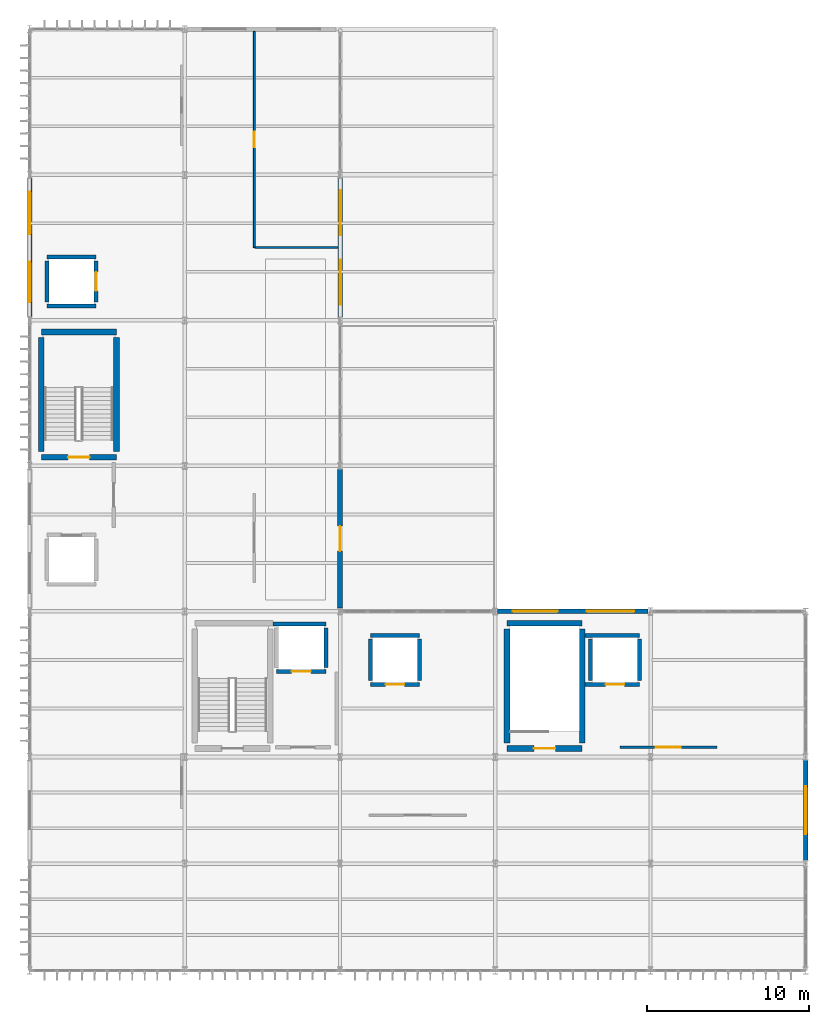
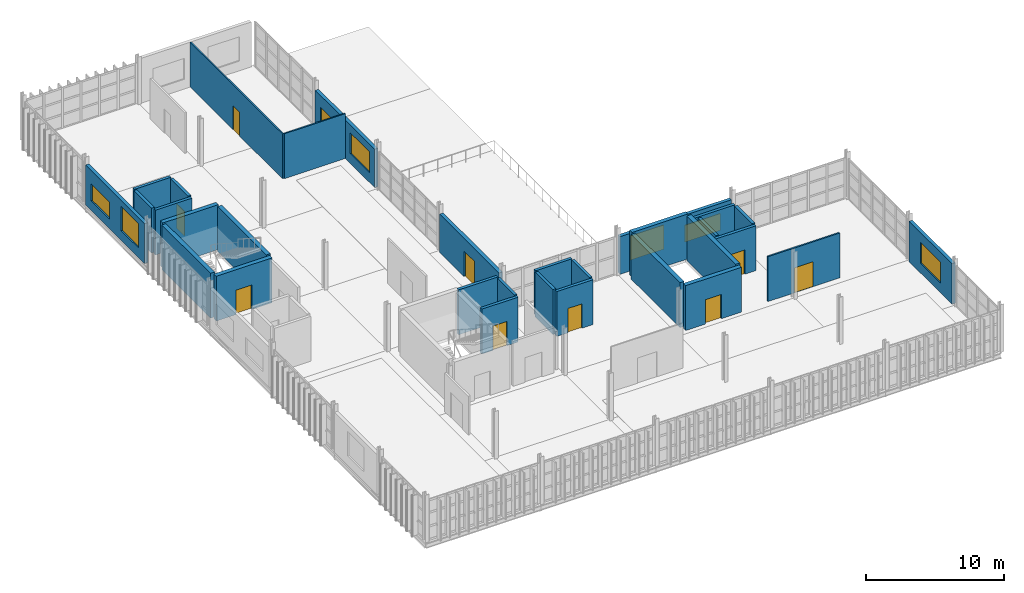
# One storey, part 19 of 38: 31 walls, 9 doors, 7 windows, 16 openings.
"""IFC4 building model written with IfcOpenShell, lengths in metres."""

from ifc_helpers import new_model, si_unit, direction, frame, frame_2d, origin, place, context, subcontext, project, spatial, rectangle, extrude, material, layer, layer_set, type_object, element, fill, save


model = new_model("IFC4")

# Units and contexts
model_context = context("Model", 3, precision=1e-05, world=origin(), true_north=direction((0.0, 1.0)))
body_context = subcontext(model_context, "Body", "Model", "MODEL_VIEW")
ifc_project = project(units=[si_unit("LENGTHUNIT", "METRE"), si_unit("AREAUNIT", "SQUARE_METRE"), si_unit("VOLUMEUNIT", "CUBIC_METRE"), si_unit("PLANEANGLEUNIT", "RADIAN"), si_unit("MASSUNIT", "GRAM", prefix="KILO")], contexts=[model_context])

# Site, building, storey
site_placement = place(None, origin())
site = spatial("IfcSite", under=ifc_project, at=site_placement, CompositionType="ELEMENT")
building_placement = place(site_placement, origin())
building = spatial("IfcBuilding", under=site, at=building_placement, Name="Zarnetskaya Central Station", CompositionType="ELEMENT")
storey_placement = place(building_placement, frame((0.0, 0.0, 18.60009765625)))
storey = spatial("IfcBuildingStorey", under=building, at=storey_placement, Name="L04", CompositionType="ELEMENT", Elevation=18.60009765625)

# Wall, opening, door
ifc_material_1 = material(Name="Gypsum acoustic partition")
ifc_layer_1 = layer(ifc_material_1, 0.1298828125, Name="Gypsum acoustic partition")
ifc_layer_set_1 = layer_set([ifc_layer_1], Name="Gypsum acoustic partition")
wall_type_1 = type_object("IfcWallType", Name="PART-OFF-130", PredefinedType="PARTITIONING", material=ifc_layer_set_1)
wall_1_placement = place(storey_placement, frame((42.5, 13.800048828125, 0.0), z_axis=(0.0, 0.0, 1.0), x_axis=(-1.0, 0.0, 0.0)))
wall_1 = element("IfcWall", 1, at=wall_1_placement, inside=storey, type_object=wall_type_1, Name="Interior partition IPRT-L04-0434", PredefinedType="PARTITIONING", context=body_context, shape_type="SweptSolid", body=[
    extrude(rectangle(XDim=6.0, YDim=0.1298828125, at=frame_2d((3.0, 0.0))), origin(), (0.0, 0.0, 1.0), 3.9599609375),
])
opening_1_placement = place(wall_1_placement, frame((2.219970703125, 0.0, 0.0)))
opening_1 = element("IfcOpeningElement", 2, at=opening_1_placement, cuts=wall_1, Name="Opening DR-10", PredefinedType="OPENING", context=body_context, shape_type="SweptSolid", body=[
    extrude(rectangle(XDim=1.56005859375, YDim=2.199951171875, at=frame_2d((0.780029296875, 1.10009765625))), frame((0.0, 0.074951171875, 0.0), z_axis=(0.0, -1.0, 0.0), x_axis=(1.0, 0.0, 0.0)), (0.0, 0.0, 1.0), 0.14990234375),
])
ifc_material_2 = material(Name="Anodised aluminium", Category="aluminium")
door_type_1 = type_object("IfcDoorType", Name="DR-INT-15", OperationType="NOTDEFINED", PredefinedType="DOOR", material=ifc_material_2)
door_1_placement = place(opening_1_placement, origin())
door_1 = element("IfcDoor", 3, at=door_1_placement, inside=storey, type_object=door_type_1, Name="Railway Operations Administration Office door", OperationType="SINGLE_SWING_LEFT", OverallHeight=2.199951171875, OverallWidth=1.56005859375, PredefinedType="DOOR", context=body_context, shape_type="SweptSolid", body=[
    extrude(rectangle(XDim=1.56005859375, YDim=2.199951171875, at=frame_2d((0.780029296875, 1.10009765625))), frame((0.0, 0.02490234375, 0.0), z_axis=(0.0, -1.0, 0.0), x_axis=(1.0, 0.0, 0.0)), (0.0, 0.0, 1.0), 0.050048828125),
])
fill(opening_1, door_1)

ifc_material_3 = material(Name="Gypsum moisture partition")
ifc_layer_2 = layer(ifc_material_3, 0.114990234375, Name="Gypsum moisture partition")
ifc_layer_set_2 = layer_set([ifc_layer_2], Name="Gypsum moisture partition")
wall_type_2 = type_object("IfcWallType", Name="PART-WC-115", PredefinedType="PARTITIONING", material=ifc_layer_set_2)
wall_2_placement = place(storey_placement, frame((13.89990234375, 44.699951171875, 0.0), z_axis=(0.0, 0.0, 1.0), x_axis=(0.0, 1.0, 0.0)))
wall_2 = element("IfcWall", 4, at=wall_2_placement, inside=storey, type_object=wall_type_2, Name="Interior partition IPRT-L04-0439", PredefinedType="PARTITIONING", context=body_context, shape_type="SweptSolid", body=[
    extrude(rectangle(XDim=13.360107421875, YDim=0.114990234375, at=frame_2d((6.68017578125, 0.0))), origin(), (0.0, 0.0, 1.0), 3.9599609375),
])
opening_2_placement = place(wall_2_placement, frame((6.195068359375, 0.0, 0.0)))
opening_2 = element("IfcOpeningElement", 5, at=opening_2_placement, cuts=wall_2, Name="Opening DR-01", PredefinedType="OPENING", context=body_context, shape_type="SweptSolid", body=[
    extrude(rectangle(XDim=0.969970703125, YDim=2.1201171875, at=frame_2d((0.48486328125, 1.06005859375))), frame((0.0, 0.0673828125, 0.0), z_axis=(0.0, -1.0, 0.0), x_axis=(1.0, 0.0, 0.0)), (0.0, 0.0, 1.0), 0.135009765625),
])
door_type_2 = type_object("IfcDoorType", Name="DR-INT-20", OperationType="NOTDEFINED", PredefinedType="DOOR", material=ifc_material_2)
door_2_placement = place(opening_2_placement, origin())
door_2 = element("IfcDoor", 6, at=door_2_placement, inside=storey, type_object=door_type_2, Name="Staff and Accessible WC Suite L04 door", OperationType="SINGLE_SWING_RIGHT", OverallHeight=2.1201171875, OverallWidth=0.969970703125, PredefinedType="DOOR", context=body_context, shape_type="SweptSolid", body=[
    extrude(rectangle(XDim=0.969970703125, YDim=2.1201171875, at=frame_2d((0.48486328125, 1.06005859375))), frame((0.0, 0.02490234375, 0.0), z_axis=(0.0, -1.0, 0.0), x_axis=(1.0, 0.0, 0.0)), (0.0, 0.0, 1.0), 0.050048828125),
])
fill(opening_2, door_2)

# Wall
wall_3_placement = place(storey_placement, frame((19.06005859375, 44.699951171875, 0.0), z_axis=(0.0, 0.0, 1.0), x_axis=(-1.0, 0.0, 0.0)))
element("IfcWall", 7, at=wall_3_placement, inside=storey, type_object=wall_type_2, Name="Interior partition IPRT-L04-0440", PredefinedType="PARTITIONING", context=body_context, shape_type="SweptSolid", body=[
    extrude(rectangle(XDim=5.1025390625, YDim=0.114990234375, at=frame_2d((2.55126953125, 0.0))), origin(), (0.0, 0.0, 1.0), 3.9599609375),
])

# Wall, opening, door
ifc_material_4 = material(Name="Concrete C35/45", Category="concrete")
ifc_layer_3 = layer(ifc_material_4, 0.35009765625, Name="Concrete C35/45", Category="concrete")
ifc_layer_set_3 = layer_set([ifc_layer_3], Name="Concrete C35/45")
wall_type_3 = type_object("IfcWallType", Name="WALL-CORE-350", PredefinedType="SHEAR", material=ifc_layer_set_3)
wall_4_placement = place(storey_placement, frame((5.375, 31.72509765625, 0.0), z_axis=(0.0, 0.0, 1.0), x_axis=(-1.0, 0.0, 0.0)))
wall_4 = element("IfcWall", 8, at=wall_4_placement, inside=storey, type_object=wall_type_3, Name="Core shear wall WSTR-L04-0237", PredefinedType="SHEAR", context=body_context, shape_type="SweptSolid", body=[
    extrude(rectangle(XDim=4.64990234375, YDim=0.35009765625, at=frame_2d((2.324951171875, 0.0))), origin(), (0.0, 0.0, 1.0), 3.9599609375),
])
opening_3_placement = place(wall_4_placement, frame((1.6650390625, 0.0, 0.0)))
opening_3 = element("IfcOpeningElement", 9, at=opening_3_placement, cuts=wall_4, Name="Opening DR-FD60", PredefinedType="OPENING", context=body_context, shape_type="SweptSolid", body=[
    extrude(rectangle(XDim=1.320068359375, YDim=2.14990234375, at=frame_2d((0.66015625, 1.074951171875))), frame((0.0, 0.18505859375, 0.0), z_axis=(0.0, -1.0, 0.0), x_axis=(1.0, 0.0, 0.0)), (0.0, 0.0, 1.0), 0.3701171875),
])
door_type_3 = type_object("IfcDoorType", Name="DR-FIRE-STAIR", OperationType="NOTDEFINED", PredefinedType="DOOR", material=ifc_material_2)
door_3_placement = place(opening_3_placement, origin())
door_3 = element("IfcDoor", 10, at=door_3_placement, inside=storey, type_object=door_type_3, Name="Protected exit stair door ST-C2 L04", OperationType="SINGLE_SWING_LEFT", OverallHeight=2.14990234375, OverallWidth=1.320068359375, PredefinedType="DOOR", context=body_context, shape_type="SweptSolid", body=[
    extrude(rectangle(XDim=1.320068359375, YDim=2.14990234375, at=frame_2d((0.66015625, 1.074951171875))), frame((0.0, 0.02490234375, 0.0), z_axis=(0.0, -1.0, 0.0), x_axis=(1.0, 0.0, 0.0)), (0.0, 0.0, 1.0), 0.050048828125),
])
fill(opening_3, door_3)

# Walls
wall_5_placement = place(storey_placement, frame((0.72509765625, 39.47509765625, 0.0), z_axis=(0.0, 0.0, 1.0), x_axis=(1.0, 0.0, 0.0)))
element("IfcWall", 11, at=wall_5_placement, inside=storey, type_object=wall_type_3, Name="Core shear wall WSTR-L04-0238", PredefinedType="SHEAR", context=body_context, shape_type="SweptSolid", body=[
    extrude(rectangle(XDim=4.64990234375, YDim=0.35009765625, at=frame_2d((2.324951171875, 0.0))), origin(), (0.0, 0.0, 1.0), 3.9599609375),
])
for number, where, z_axis, x_axis, name in (
    (12, (0.72509765625, 32.074951171875, 0.0), (0.0, 0.0, 1.0), (0.0, 1.0, 0.0), "Core shear wall WSTR-L04-0239"),
    (13, (5.375, 39.125, 0.0), (0.0, 0.0, 1.0), (0.0, -1.0, 0.0), "Core shear wall WSTR-L04-0240"),
):
    element("IfcWall", number, at=place(storey_placement, frame(where, z_axis=z_axis, x_axis=x_axis)), inside=storey, type_object=wall_type_3, Name=name, PredefinedType="SHEAR", context=body_context, shape_type="SweptSolid", body=[
        extrude(rectangle(XDim=7.050048828125, YDim=0.35009765625, at=frame_2d((3.52490234375, 0.0))), origin(), (0.0, 0.0, 1.0), 3.9599609375),
    ])

# Wall, opening, door
wall_6_placement = place(storey_placement, frame((34.175048828125, 13.72509765625, 0.0), z_axis=(0.0, 0.0, 1.0), x_axis=(-1.0, 0.0, 0.0)))
wall_6 = element("IfcWall", 14, at=wall_6_placement, inside=storey, type_object=wall_type_3, Name="Core shear wall WSTR-L04-0265", PredefinedType="SHEAR", context=body_context, shape_type="SweptSolid", body=[
    extrude(rectangle(XDim=4.650146484375, YDim=0.35009765625, at=frame_2d((2.3251953125, 0.0))), origin(), (0.0, 0.0, 1.0), 3.9599609375),
])
opening_4_placement = place(wall_6_placement, frame((1.6650390625, 0.0, 0.0)))
opening_4 = element("IfcOpeningElement", 15, at=opening_4_placement, cuts=wall_6, Name="Opening DR-FD60", PredefinedType="OPENING", context=body_context, shape_type="SweptSolid", body=[
    extrude(rectangle(XDim=1.320068359375, YDim=2.14990234375, at=frame_2d((0.66015625, 1.074951171875))), frame((0.0, 0.18505859375, 0.0), z_axis=(0.0, -1.0, 0.0), x_axis=(1.0, 0.0, 0.0)), (0.0, 0.0, 1.0), 0.3701171875),
])
door_4_placement = place(opening_4_placement, origin())
door_4 = element("IfcDoor", 16, at=door_4_placement, inside=storey, type_object=door_type_3, Name="Protected exit stair door ST-C3 L04", OperationType="SINGLE_SWING_RIGHT", OverallHeight=2.14990234375, OverallWidth=1.320068359375, PredefinedType="DOOR", context=body_context, shape_type="SweptSolid", body=[
    extrude(rectangle(XDim=1.320068359375, YDim=2.14990234375, at=frame_2d((0.66015625, 1.074951171875))), frame((0.0, 0.02490234375, 0.0), z_axis=(0.0, -1.0, 0.0), x_axis=(1.0, 0.0, 0.0)), (0.0, 0.0, 1.0), 0.050048828125),
])
fill(opening_4, door_4)

# Walls
wall_7_placement = place(storey_placement, frame((29.52490234375, 21.47509765625, 0.0), z_axis=(0.0, 0.0, 1.0), x_axis=(1.0, 0.0, 0.0)))
element("IfcWall", 17, at=wall_7_placement, inside=storey, type_object=wall_type_3, Name="Core shear wall WSTR-L04-0266", PredefinedType="SHEAR", context=body_context, shape_type="SweptSolid", body=[
    extrude(rectangle(XDim=4.650146484375, YDim=0.35009765625, at=frame_2d((2.3251953125, 0.0))), origin(), (0.0, 0.0, 1.0), 3.9599609375),
])
for number, where, z_axis, x_axis, name in (
    (18, (29.52490234375, 14.074951171875, 0.0), (0.0, 0.0, 1.0), (0.0, 1.0, 0.0), "Core shear wall WSTR-L04-0267"),
    (19, (34.175048828125, 21.125, 0.0), (0.0, 0.0, 1.0), (0.0, -1.0, 0.0), "Core shear wall WSTR-L04-0268"),
):
    element("IfcWall", number, at=place(storey_placement, frame(where, z_axis=z_axis, x_axis=x_axis)), inside=storey, type_object=wall_type_3, Name=name, PredefinedType="SHEAR", context=body_context, shape_type="SweptSolid", body=[
        extrude(rectangle(XDim=7.050048828125, YDim=0.35009765625, at=frame_2d((3.52490234375, 0.0))), origin(), (0.0, 0.0, 1.0), 3.9599609375),
    ])

# Wall, openings, windows
ifc_material_5 = material(Name="Precast concrete C40/50", Category="concrete")
ifc_layer_4 = layer(ifc_material_5, 0.280029296875, Name="Precast concrete C40/50", Category="concrete")
ifc_layer_set_4 = layer_set([ifc_layer_4], Name="Precast concrete C40/50")
wall_type_4 = type_object("IfcWallType", Name="WALL-EXT-280", PredefinedType="SOLIDWALL", material=ifc_layer_set_4)
wall_8_placement = place(storey_placement, frame((0.0, 40.425048828125, 0.0), z_axis=(0.0, 0.0, 1.0), x_axis=(0.0, 1.0, 0.0)))
wall_8 = element("IfcWall", 20, at=wall_8_placement, inside=storey, type_object=wall_type_4, Name="Exterior precast wall EW-L04-0-404-0-490", PredefinedType="SOLIDWALL", context=body_context, shape_type="SweptSolid", body=[
    extrude(rectangle(XDim=8.550048828125, YDim=0.280029296875, at=frame_2d((4.27490234375, 0.0))), origin(), (0.0, 0.0, 1.0), 3.52978515625),
])
opening_5_placement = place(wall_8_placement, frame((0.887451171875, 0.0, 0.85009765625)))
opening_5 = element("IfcOpeningElement", 21, at=opening_5_placement, cuts=wall_8, Name="Opening WN-46", PredefinedType="OPENING", context=body_context, shape_type="SweptSolid", body=[
    extrude(rectangle(XDim=2.5, YDim=2.14990234375, at=frame_2d((1.25, 1.074951171875))), frame((0.0, 0.14990234375, 0.0), z_axis=(0.0, -1.0, 0.0), x_axis=(1.0, 0.0, 0.0)), (0.0, 0.0, 1.0), 0.300048828125),
])
opening_6_placement = place(wall_8_placement, frame((5.08740234375, 0.0, 0.85009765625)))
opening_6 = element("IfcOpeningElement", 22, at=opening_6_placement, cuts=wall_8, Name="Opening WN-43", PredefinedType="OPENING", context=body_context, shape_type="SweptSolid", body=[
    extrude(rectangle(XDim=2.64990234375, YDim=1.5, at=frame_2d((1.324951171875, 0.75))), frame((0.0, 0.14990234375, 0.0), z_axis=(0.0, -1.0, 0.0), x_axis=(1.0, 0.0, 0.0)), (0.0, 0.0, 1.0), 0.300048828125),
])
ifc_material_6 = material(Name="Low-E insulated glass", Category="glass")
window_type_1 = type_object("IfcWindowType", Name="WIN-39", PartitioningType="DOUBLE_PANEL_VERTICAL", PredefinedType="WINDOW", material=ifc_material_6)
window_1_placement = place(opening_5_placement, origin())
window_1 = element("IfcWindow", 23, at=window_1_placement, inside=storey, type_object=window_type_1, Name="Facade window L04-0093", OverallHeight=2.14990234375, OverallWidth=2.5, PartitioningType="SINGLE_PANEL", PredefinedType="WINDOW", context=body_context, shape_type="SweptSolid", body=[
    extrude(rectangle(XDim=2.5, YDim=2.14990234375, at=frame_2d((1.25, 1.074951171875))), frame((0.0, 0.030029296875, 0.0), z_axis=(0.0, -1.0, 0.0), x_axis=(1.0, 0.0, 0.0)), (0.0, 0.0, 1.0), 0.06005859375),
])
fill(opening_5, window_1)
window_type_2 = type_object("IfcWindowType", Name="WIN-40", PartitioningType="DOUBLE_PANEL_VERTICAL", PredefinedType="WINDOW", material=ifc_material_6)
window_2_placement = place(opening_6_placement, origin())
window_2 = element("IfcWindow", 24, at=window_2_placement, inside=storey, type_object=window_type_2, Name="Facade window L04-0094", OverallHeight=1.5, OverallWidth=2.64990234375, PartitioningType="SINGLE_PANEL", PredefinedType="WINDOW", context=body_context, shape_type="SweptSolid", body=[
    extrude(rectangle(XDim=2.64990234375, YDim=1.5, at=frame_2d((1.324951171875, 0.75))), frame((0.0, 0.030029296875, 0.0), z_axis=(0.0, -1.0, 0.0), x_axis=(1.0, 0.0, 0.0)), (0.0, 0.0, 1.0), 0.06005859375),
])
fill(opening_6, window_2)

wall_9_placement = place(storey_placement, frame((19.199951171875, 49.0, 0.0), z_axis=(0.0, 0.0, 1.0), x_axis=(0.0, -1.0, 0.0)))
wall_9 = element("IfcWall", 25, at=wall_9_placement, inside=storey, type_object=wall_type_4, Name="Exterior precast wall EW-L04-192-490-192-404", PredefinedType="SOLIDWALL", context=body_context, shape_type="SweptSolid", body=[
    extrude(rectangle(XDim=8.60009765625, YDim=0.280029296875, at=frame_2d((4.300048828125, 0.0))), origin(), (0.0, 0.0, 1.0), 3.3798828125),
])
opening_7_placement = place(wall_9_placement, frame((0.75, 0.0, 0.85009765625)))
opening_7 = element("IfcOpeningElement", 26, at=opening_7_placement, cuts=wall_9, Name="Opening WN-27", PredefinedType="OPENING", context=body_context, shape_type="SweptSolid", body=[
    extrude(rectangle(XDim=2.800048828125, YDim=1.5, at=frame_2d((1.39990234375, 0.75))), frame((0.0, 0.14990234375, 0.0), z_axis=(0.0, -1.0, 0.0), x_axis=(1.0, 0.0, 0.0)), (0.0, 0.0, 1.0), 0.300048828125),
])
opening_8_placement = place(wall_9_placement, frame((5.050048828125, 0.0, 0.85009765625)))
opening_8 = element("IfcOpeningElement", 27, at=opening_8_placement, cuts=wall_9, Name="Opening WN-02", PredefinedType="OPENING", context=body_context, shape_type="SweptSolid", body=[
    extrude(rectangle(XDim=2.800048828125, YDim=1.85009765625, at=frame_2d((1.39990234375, 0.925048828125))), frame((0.0, 0.14990234375, 0.0), z_axis=(0.0, -1.0, 0.0), x_axis=(1.0, 0.0, 0.0)), (0.0, 0.0, 1.0), 0.300048828125),
])
window_type_3 = type_object("IfcWindowType", Name="WIN-43", PartitioningType="DOUBLE_PANEL_VERTICAL", PredefinedType="WINDOW", material=ifc_material_6)
window_3_placement = place(opening_7_placement, origin())
window_3 = element("IfcWindow", 28, at=window_3_placement, inside=storey, type_object=window_type_3, Name="Facade window L04-0097", OverallHeight=1.5, OverallWidth=2.800048828125, PartitioningType="SINGLE_PANEL", PredefinedType="WINDOW", context=body_context, shape_type="SweptSolid", body=[
    extrude(rectangle(XDim=2.800048828125, YDim=1.5, at=frame_2d((1.39990234375, 0.75))), frame((0.0, 0.030029296875, 0.0), z_axis=(0.0, -1.0, 0.0), x_axis=(1.0, 0.0, 0.0)), (0.0, 0.0, 1.0), 0.06005859375),
])
fill(opening_7, window_3)
window_type_4 = type_object("IfcWindowType", Name="WIN-44", PartitioningType="DOUBLE_PANEL_VERTICAL", PredefinedType="WINDOW", material=ifc_material_6)
window_4_placement = place(opening_8_placement, origin())
window_4 = element("IfcWindow", 29, at=window_4_placement, inside=storey, type_object=window_type_4, Name="Facade window L04-0098", OverallHeight=1.85009765625, OverallWidth=2.800048828125, PartitioningType="SINGLE_PANEL", PredefinedType="WINDOW", context=body_context, shape_type="SweptSolid", body=[
    extrude(rectangle(XDim=2.800048828125, YDim=1.85009765625, at=frame_2d((1.39990234375, 0.925048828125))), frame((0.0, 0.030029296875, 0.0), z_axis=(0.0, -1.0, 0.0), x_axis=(1.0, 0.0, 0.0)), (0.0, 0.0, 1.0), 0.06005859375),
])
fill(opening_8, window_4)

wall_10_placement = place(storey_placement, frame((28.949951171875, 22.199951171875, 0.0), z_axis=(0.0, 0.0, 1.0), x_axis=(1.0, 0.0, 0.0)))
wall_10 = element("IfcWall", 30, at=wall_10_placement, inside=storey, type_object=wall_type_4, Name="Exterior precast wall EW-L04-290-222-382-222", PredefinedType="SOLIDWALL", context=body_context, shape_type="SweptSolid", body=[
    extrude(rectangle(XDim=9.300048828125, YDim=0.280029296875, at=frame_2d((4.64990234375, 0.0))), origin(), (0.0, 0.0, 1.0), 3.329833984375),
])
opening_9_placement = place(wall_10_placement, frame((0.925048828125, 0.0, 0.85009765625)))
opening_9 = element("IfcOpeningElement", 31, at=opening_9_placement, cuts=wall_10, Name="Opening WN-05", PredefinedType="OPENING", context=body_context, shape_type="SweptSolid", body=[
    extrude(rectangle(XDim=2.800048828125, YDim=2.14990234375, at=frame_2d((1.39990234375, 1.074951171875))), frame((0.0, 0.14990234375, 0.0), z_axis=(0.0, -1.0, 0.0), x_axis=(1.0, 0.0, 0.0)), (0.0, 0.0, 1.0), 0.300048828125),
])
opening_10_placement = place(wall_10_placement, frame((5.5, 0.0, 0.85009765625)))
opening_10 = element("IfcOpeningElement", 32, at=opening_10_placement, cuts=wall_10, Name="Opening WN-33", PredefinedType="OPENING", context=body_context, shape_type="SweptSolid", body=[
    extrude(rectangle(XDim=2.949951171875, YDim=1.5, at=frame_2d((1.47509765625, 0.75))), frame((0.0, 0.14990234375, 0.0), z_axis=(0.0, -1.0, 0.0), x_axis=(1.0, 0.0, 0.0)), (0.0, 0.0, 1.0), 0.300048828125),
])
window_type_5 = type_object("IfcWindowType", Name="WIN-45", PartitioningType="DOUBLE_PANEL_VERTICAL", PredefinedType="WINDOW", material=ifc_material_6)
window_5_placement = place(opening_9_placement, origin())
window_5 = element("IfcWindow", 33, at=window_5_placement, inside=storey, type_object=window_type_5, Name="Facade window L04-0099", OverallHeight=2.14990234375, OverallWidth=2.800048828125, PartitioningType="SINGLE_PANEL", PredefinedType="WINDOW", context=body_context, shape_type="SweptSolid", body=[
    extrude(rectangle(XDim=2.800048828125, YDim=2.14990234375, at=frame_2d((1.39990234375, 1.074951171875))), frame((0.0, 0.030029296875, 0.0), z_axis=(0.0, -1.0, 0.0), x_axis=(1.0, 0.0, 0.0)), (0.0, 0.0, 1.0), 0.06005859375),
])
fill(opening_9, window_5)
window_type_6 = type_object("IfcWindowType", Name="WIN-46", PartitioningType="DOUBLE_PANEL_VERTICAL", PredefinedType="WINDOW", material=ifc_material_6)
window_6_placement = place(opening_10_placement, origin())
window_6 = element("IfcWindow", 34, at=window_6_placement, inside=storey, type_object=window_type_6, Name="Facade window L04-0100", OverallHeight=1.5, OverallWidth=2.949951171875, PartitioningType="SINGLE_PANEL", PredefinedType="WINDOW", context=body_context, shape_type="SweptSolid", body=[
    extrude(rectangle(XDim=2.949951171875, YDim=1.5, at=frame_2d((1.47509765625, 0.75))), frame((0.0, 0.030029296875, 0.0), z_axis=(0.0, -1.0, 0.0), x_axis=(1.0, 0.0, 0.0)), (0.0, 0.0, 1.0), 0.06005859375),
])
fill(opening_10, window_6)

# Wall, opening, window
wall_11_placement = place(storey_placement, frame((48.0, 13.0, 0.0), z_axis=(0.0, 0.0, 1.0), x_axis=(0.0, -1.0, 0.0)))
wall_11 = element("IfcWall", 35, at=wall_11_placement, inside=storey, type_object=wall_type_4, Name="Exterior precast wall EW-L04-480-130-480-68", PredefinedType="SOLIDWALL", context=body_context, shape_type="SweptSolid", body=[
    extrude(rectangle(XDim=6.199951171875, YDim=0.280029296875, at=frame_2d((3.10009765625, 0.0))), origin(), (0.0, 0.0, 1.0), 3.56982421875),
])
opening_11_placement = place(wall_11_placement, frame((1.625, 0.0, 0.85009765625)))
opening_11 = element("IfcOpeningElement", 36, at=opening_11_placement, cuts=wall_11, Name="Opening WN-42", PredefinedType="OPENING", context=body_context, shape_type="SweptSolid", body=[
    extrude(rectangle(XDim=2.949951171875, YDim=1.85009765625, at=frame_2d((1.47509765625, 0.925048828125))), frame((0.0, 0.14990234375, 0.0), z_axis=(0.0, -1.0, 0.0), x_axis=(1.0, 0.0, 0.0)), (0.0, 0.0, 1.0), 0.300048828125),
])
window_type_7 = type_object("IfcWindowType", Name="WIN-47", PartitioningType="DOUBLE_PANEL_VERTICAL", PredefinedType="WINDOW", material=ifc_material_6)
window_7_placement = place(opening_11_placement, origin())
window_7 = element("IfcWindow", 37, at=window_7_placement, inside=storey, type_object=window_type_7, Name="Facade window L04-0101", OverallHeight=1.85009765625, OverallWidth=2.949951171875, PartitioningType="SINGLE_PANEL", PredefinedType="WINDOW", context=body_context, shape_type="SweptSolid", body=[
    extrude(rectangle(XDim=2.949951171875, YDim=1.85009765625, at=frame_2d((1.47509765625, 0.925048828125))), frame((0.0, 0.030029296875, 0.0), z_axis=(0.0, -1.0, 0.0), x_axis=(1.0, 0.0, 0.0)), (0.0, 0.0, 1.0), 0.06005859375),
])
fill(opening_11, window_7)

# Wall, opening, door
ifc_layer_5 = layer(ifc_material_5, 0.300048828125, Name="Precast concrete C40/50", Category="concrete")
ifc_layer_set_5 = layer_set([ifc_layer_5], Name="Precast concrete C40/50")
wall_type_5 = type_object("IfcWallType", Name="WALL-EXT-300", PredefinedType="SOLIDWALL", material=ifc_layer_set_5)
wall_12_placement = place(storey_placement, frame((19.199951171875, 31.0, 0.0), z_axis=(0.0, 0.0, 1.0), x_axis=(0.0, -1.0, 0.0)))
wall_12 = element("IfcWall", 38, at=wall_12_placement, inside=storey, type_object=wall_type_5, Name="Exterior precast wall EW-L04-192-310-192-224", PredefinedType="SOLIDWALL", context=body_context, shape_type="SweptSolid", body=[
    extrude(rectangle(XDim=8.60009765625, YDim=0.300048828125, at=frame_2d((4.300048828125, 0.0))), origin(), (0.0, 0.0, 1.0), 3.3798828125),
])
opening_12_placement = place(wall_12_placement, frame((3.52490234375, 0.0, 0.0)))
opening_12 = element("IfcOpeningElement", 39, at=opening_12_placement, cuts=wall_12, Name="Opening ED-01", PredefinedType="OPENING", context=body_context, shape_type="SweptSolid", body=[
    extrude(rectangle(XDim=1.550048828125, YDim=2.25, at=frame_2d((0.77490234375, 1.125))), frame((0.0, 0.16015625, 0.0), z_axis=(0.0, -1.0, 0.0), x_axis=(1.0, 0.0, 0.0)), (0.0, 0.0, 1.0), 0.320068359375),
])
door_type_4 = type_object("IfcDoorType", Name="DR-TER-155x225", OperationType="NOTDEFINED", PredefinedType="DOOR", material=ifc_material_2)
door_5_placement = place(opening_12_placement, origin())
door_5 = element("IfcDoor", 40, at=door_5_placement, inside=storey, type_object=door_type_4, Name="Outdoor terrace access door L04", OperationType="SINGLE_SWING_LEFT", OverallHeight=2.25, OverallWidth=1.550048828125, PredefinedType="DOOR", context=body_context, shape_type="SweptSolid", body=[
    extrude(rectangle(XDim=1.550048828125, YDim=2.25, at=frame_2d((0.77490234375, 1.125))), frame((0.0, 0.02490234375, 0.0), z_axis=(0.0, -1.0, 0.0), x_axis=(1.0, 0.0, 0.0)), (0.0, 0.0, 1.0), 0.050048828125),
])
fill(opening_12, door_5)

ifc_layer_6 = layer(ifc_material_4, 0.239990234375, Name="Concrete C35/45", Category="concrete")
ifc_layer_set_6 = layer_set([ifc_layer_6], Name="Concrete C35/45")
wall_type_6 = type_object("IfcWallType", Name="WALL-SHFT-240", PredefinedType="SHEAR", material=ifc_layer_set_6)
wall_13_placement = place(storey_placement, frame((18.320068359375, 18.47998046875, 0.0), z_axis=(0.0, 0.0, 1.0), x_axis=(-1.0, 0.0, 0.0)))
wall_13 = element("IfcWall", 41, at=wall_13_placement, inside=storey, type_object=wall_type_6, Name="Core shear wall WSHF-L04-0021", PredefinedType="SHEAR", context=body_context, shape_type="SweptSolid", body=[
    extrude(rectangle(XDim=3.0400390625, YDim=0.239990234375, at=frame_2d((1.52001953125, 0.0))), origin(), (0.0, 0.0, 1.0), 3.9599609375),
])
opening_13_placement = place(wall_13_placement, frame((0.919921875, 0.0, 0.0)))
opening_13 = element("IfcOpeningElement", 42, at=opening_13_placement, cuts=wall_13, Name="Opening LD-FF", PredefinedType="OPENING", context=body_context, shape_type="SweptSolid", body=[
    extrude(rectangle(XDim=1.199951171875, YDim=2.14990234375, at=frame_2d((0.60009765625, 1.074951171875))), frame((0.0, 0.1298828125, 0.0), z_axis=(0.0, -1.0, 0.0), x_axis=(1.0, 0.0, 0.0)), (0.0, 0.0, 1.0), 0.260009765625),
])
door_type_5 = type_object("IfcDoorType", Name="DR-LIFT-FF", OperationType="NOTDEFINED", PredefinedType="DOOR", material=ifc_material_2)
door_6_placement = place(opening_13_placement, origin())
door_6 = element("IfcDoor", 43, at=door_6_placement, inside=storey, type_object=door_type_5, Name="Lift landing sliding door FL-01 L04", OperationType="DOUBLE_DOOR_SLIDING", OverallHeight=2.14990234375, OverallWidth=1.199951171875, PredefinedType="DOOR", context=body_context, shape_type="SweptSolid", body=[
    extrude(rectangle(XDim=1.199951171875, YDim=2.14990234375, at=frame_2d((0.60009765625, 1.074951171875))), frame((0.0, 0.02490234375, 0.0), z_axis=(0.0, -1.0, 0.0), x_axis=(1.0, 0.0, 0.0)), (0.0, 0.0, 1.0), 0.050048828125),
])
fill(opening_13, door_6)

# Walls
wall_14_placement = place(storey_placement, frame((15.050048828125, 21.419921875, 0.0), z_axis=(0.0, 0.0, 1.0), x_axis=(1.0, 0.0, 0.0)))
element("IfcWall", 44, at=wall_14_placement, inside=storey, type_object=wall_type_6, Name="Core shear wall WSHF-L04-0022", PredefinedType="SHEAR", context=body_context, shape_type="SweptSolid", body=[
    extrude(rectangle(XDim=3.27001953125, YDim=0.239990234375, at=frame_2d((1.635009765625, 0.0))), origin(), (0.0, 0.0, 1.0), 3.9599609375),
])
wall_15_placement = place(storey_placement, frame((18.320068359375, 21.179931640625, 0.0), z_axis=(0.0, 0.0, 1.0), x_axis=(0.0, -1.0, 0.0)))
element("IfcWall", 45, at=wall_15_placement, inside=storey, type_object=wall_type_6, Name="Core shear wall WSHF-L04-0024", PredefinedType="SHEAR", context=body_context, shape_type="SweptSolid", body=[
    extrude(rectangle(XDim=2.4599609375, YDim=0.239990234375, at=frame_2d((1.22998046875, 0.0))), origin(), (0.0, 0.0, 1.0), 3.9599609375),
])

# Wall, opening, door
wall_16_placement = place(storey_placement, frame((24.1201171875, 17.679931640625, 0.0), z_axis=(0.0, 0.0, 1.0), x_axis=(-1.0, 0.0, 0.0)))
wall_16 = element("IfcWall", 46, at=wall_16_placement, inside=storey, type_object=wall_type_6, Name="Core shear wall WSHF-L04-0049", PredefinedType="SHEAR", context=body_context, shape_type="SweptSolid", body=[
    extrude(rectangle(XDim=3.0400390625, YDim=0.239990234375, at=frame_2d((1.52001953125, 0.0))), origin(), (0.0, 0.0, 1.0), 3.9599609375),
])
opening_14_placement = place(wall_16_placement, frame((0.93994140625, 0.0, 0.0)))
opening_14 = element("IfcOpeningElement", 47, at=opening_14_placement, cuts=wall_16, Name="Opening DR-24", PredefinedType="OPENING", context=body_context, shape_type="SweptSolid", body=[
    extrude(rectangle(XDim=1.159912109375, YDim=2.14990234375, at=frame_2d((0.580078125, 1.074951171875))), frame((0.0, 0.1298828125, 0.0), z_axis=(0.0, -1.0, 0.0), x_axis=(1.0, 0.0, 0.0)), (0.0, 0.0, 1.0), 0.260009765625),
])
door_type_6 = type_object("IfcDoorType", Name="DR-LIFT-PAX", OperationType="NOTDEFINED", PredefinedType="DOOR", material=ifc_material_2)
door_7_placement = place(opening_14_placement, origin())
door_7 = element("IfcDoor", 48, at=door_7_placement, inside=storey, type_object=door_type_6, Name="Lift landing sliding door LP-01 L04", OperationType="DOUBLE_DOOR_SLIDING", OverallHeight=2.14990234375, OverallWidth=1.159912109375, PredefinedType="DOOR", context=body_context, shape_type="SweptSolid", body=[
    extrude(rectangle(XDim=1.159912109375, YDim=2.14990234375, at=frame_2d((0.580078125, 1.074951171875))), frame((0.0, 0.02490234375, 0.0), z_axis=(0.0, -1.0, 0.0), x_axis=(1.0, 0.0, 0.0)), (0.0, 0.0, 1.0), 0.050048828125),
])
fill(opening_14, door_7)

# Walls
wall_17_placement = place(storey_placement, frame((21.080078125, 20.719970703125, 0.0), z_axis=(0.0, 0.0, 1.0), x_axis=(1.0, 0.0, 0.0)))
element("IfcWall", 49, at=wall_17_placement, inside=storey, type_object=wall_type_6, Name="Core shear wall WSHF-L04-0050", PredefinedType="SHEAR", context=body_context, shape_type="SweptSolid", body=[
    extrude(rectangle(XDim=3.0400390625, YDim=0.239990234375, at=frame_2d((1.52001953125, 0.0))), origin(), (0.0, 0.0, 1.0), 3.9599609375),
])
for number, where, z_axis, x_axis, name in (
    (50, (21.080078125, 17.919921875, 0.0), (0.0, 0.0, 1.0), (0.0, 1.0, 0.0), "Core shear wall WSHF-L04-0051"),
    (51, (24.1201171875, 20.47998046875, 0.0), (0.0, 0.0, 1.0), (0.0, -1.0, 0.0), "Core shear wall WSHF-L04-0052"),
):
    element("IfcWall", number, at=place(storey_placement, frame(where, z_axis=z_axis, x_axis=x_axis)), inside=storey, type_object=wall_type_6, Name=name, PredefinedType="SHEAR", context=body_context, shape_type="SweptSolid", body=[
        extrude(rectangle(XDim=2.56005859375, YDim=0.239990234375, at=frame_2d((1.280029296875, 0.0))), origin(), (0.0, 0.0, 1.0), 3.9599609375),
    ])
for number, where, z_axis, x_axis, name in (
    (52, (4.1201171875, 41.080078125, 0.0), (0.0, 0.0, 1.0), (-1.0, 0.0, 0.0), "Core shear wall WSHF-L04-0105"),
    (53, (1.080078125, 44.1201171875, 0.0), (0.0, 0.0, 1.0), (1.0, 0.0, 0.0), "Core shear wall WSHF-L04-0106"),
):
    element("IfcWall", number, at=place(storey_placement, frame(where, z_axis=z_axis, x_axis=x_axis)), inside=storey, type_object=wall_type_6, Name=name, PredefinedType="SHEAR", context=body_context, shape_type="SweptSolid", body=[
        extrude(rectangle(XDim=3.0400390625, YDim=0.239990234375, at=frame_2d((1.52001953125, 0.0))), origin(), (0.0, 0.0, 1.0), 3.9599609375),
    ])
wall_18_placement = place(storey_placement, frame((1.080078125, 41.320068359375, 0.0), z_axis=(0.0, 0.0, 1.0), x_axis=(0.0, 1.0, 0.0)))
element("IfcWall", 54, at=wall_18_placement, inside=storey, type_object=wall_type_6, Name="Core shear wall WSHF-L04-0107", PredefinedType="SHEAR", context=body_context, shape_type="SweptSolid", body=[
    extrude(rectangle(XDim=2.559814453125, YDim=0.239990234375, at=frame_2d((1.27978515625, 0.0))), origin(), (0.0, 0.0, 1.0), 3.9599609375),
])

# Wall, opening, door
wall_19_placement = place(storey_placement, frame((4.1201171875, 43.8798828125, 0.0), z_axis=(0.0, 0.0, 1.0), x_axis=(0.0, -1.0, 0.0)))
wall_19 = element("IfcWall", 55, at=wall_19_placement, inside=storey, type_object=wall_type_6, Name="Core shear wall WSHF-L04-0108", PredefinedType="SHEAR", context=body_context, shape_type="SweptSolid", body=[
    extrude(rectangle(XDim=2.559814453125, YDim=0.239990234375, at=frame_2d((1.27978515625, 0.0))), origin(), (0.0, 0.0, 1.0), 3.9599609375),
])
opening_15_placement = place(wall_19_placement, frame((0.699951171875, 0.0, 0.0)))
opening_15 = element("IfcOpeningElement", 56, at=opening_15_placement, cuts=wall_19, Name="Opening DR-24", PredefinedType="OPENING", context=body_context, shape_type="SweptSolid", body=[
    extrude(rectangle(XDim=1.159912109375, YDim=2.14990234375, at=frame_2d((0.580078125, 1.074951171875))), frame((0.0, 0.1298828125, 0.0), z_axis=(0.0, -1.0, 0.0), x_axis=(1.0, 0.0, 0.0)), (0.0, 0.0, 1.0), 0.260009765625),
])
door_8_placement = place(opening_15_placement, origin())
door_8 = element("IfcDoor", 57, at=door_8_placement, inside=storey, type_object=door_type_6, Name="Lift landing sliding door LP-02 L04", OperationType="DOUBLE_DOOR_SLIDING", OverallHeight=2.14990234375, OverallWidth=1.159912109375, PredefinedType="DOOR", context=body_context, shape_type="SweptSolid", body=[
    extrude(rectangle(XDim=1.159912109375, YDim=2.14990234375, at=frame_2d((0.580078125, 1.074951171875))), frame((0.0, 0.02490234375, 0.0), z_axis=(0.0, -1.0, 0.0), x_axis=(1.0, 0.0, 0.0)), (0.0, 0.0, 1.0), 0.050048828125),
])
fill(opening_15, door_8)

wall_20_placement = place(storey_placement, frame((37.719970703125, 17.679931640625, 0.0), z_axis=(0.0, 0.0, 1.0), x_axis=(-1.0, 0.0, 0.0)))
wall_20 = element("IfcWall", 58, at=wall_20_placement, inside=storey, type_object=wall_type_6, Name="Core shear wall WSHF-L04-0133", PredefinedType="SHEAR", context=body_context, shape_type="SweptSolid", body=[
    extrude(rectangle(XDim=3.369873046875, YDim=0.239990234375, at=frame_2d((1.68505859375, 0.0))), origin(), (0.0, 0.0, 1.0), 3.9599609375),
])
opening_16_placement = place(wall_20_placement, frame((0.93994140625, 0.0, 0.0)))
opening_16 = element("IfcOpeningElement", 59, at=opening_16_placement, cuts=wall_20, Name="Opening DR-24", PredefinedType="OPENING", context=body_context, shape_type="SweptSolid", body=[
    extrude(rectangle(XDim=1.159912109375, YDim=2.14990234375, at=frame_2d((0.580078125, 1.074951171875))), frame((0.0, 0.1298828125, 0.0), z_axis=(0.0, -1.0, 0.0), x_axis=(1.0, 0.0, 0.0)), (0.0, 0.0, 1.0), 0.260009765625),
])
door_9_placement = place(opening_16_placement, origin())
door_9 = element("IfcDoor", 60, at=door_9_placement, inside=storey, type_object=door_type_6, Name="Lift landing sliding door LP-03 L04", OperationType="DOUBLE_DOOR_SLIDING", OverallHeight=2.14990234375, OverallWidth=1.159912109375, PredefinedType="DOOR", context=body_context, shape_type="SweptSolid", body=[
    extrude(rectangle(XDim=1.159912109375, YDim=2.14990234375, at=frame_2d((0.580078125, 1.074951171875))), frame((0.0, 0.02490234375, 0.0), z_axis=(0.0, -1.0, 0.0), x_axis=(1.0, 0.0, 0.0)), (0.0, 0.0, 1.0), 0.050048828125),
])
fill(opening_16, door_9)

# Walls
wall_21_placement = place(storey_placement, frame((34.35009765625, 20.719970703125, 0.0), z_axis=(0.0, 0.0, 1.0), x_axis=(1.0, 0.0, 0.0)))
element("IfcWall", 61, at=wall_21_placement, inside=storey, type_object=wall_type_6, Name="Core shear wall WSHF-L04-0134", PredefinedType="SHEAR", context=body_context, shape_type="SweptSolid", body=[
    extrude(rectangle(XDim=3.369873046875, YDim=0.239990234375, at=frame_2d((1.68505859375, 0.0))), origin(), (0.0, 0.0, 1.0), 3.9599609375),
])
for number, where, z_axis, x_axis, name in (
    (62, (34.679931640625, 17.919921875, 0.0), (0.0, 0.0, 1.0), (0.0, 1.0, 0.0), "Core shear wall WSHF-L04-0135"),
    (63, (37.719970703125, 20.47998046875, 0.0), (0.0, 0.0, 1.0), (0.0, -1.0, 0.0), "Core shear wall WSHF-L04-0136"),
):
    element("IfcWall", number, at=place(storey_placement, frame(where, z_axis=z_axis, x_axis=x_axis)), inside=storey, type_object=wall_type_6, Name=name, PredefinedType="SHEAR", context=body_context, shape_type="SweptSolid", body=[
        extrude(rectangle(XDim=2.56005859375, YDim=0.239990234375, at=frame_2d((1.280029296875, 0.0))), origin(), (0.0, 0.0, 1.0), 3.9599609375),
    ])

save(model, "model.ifc")
